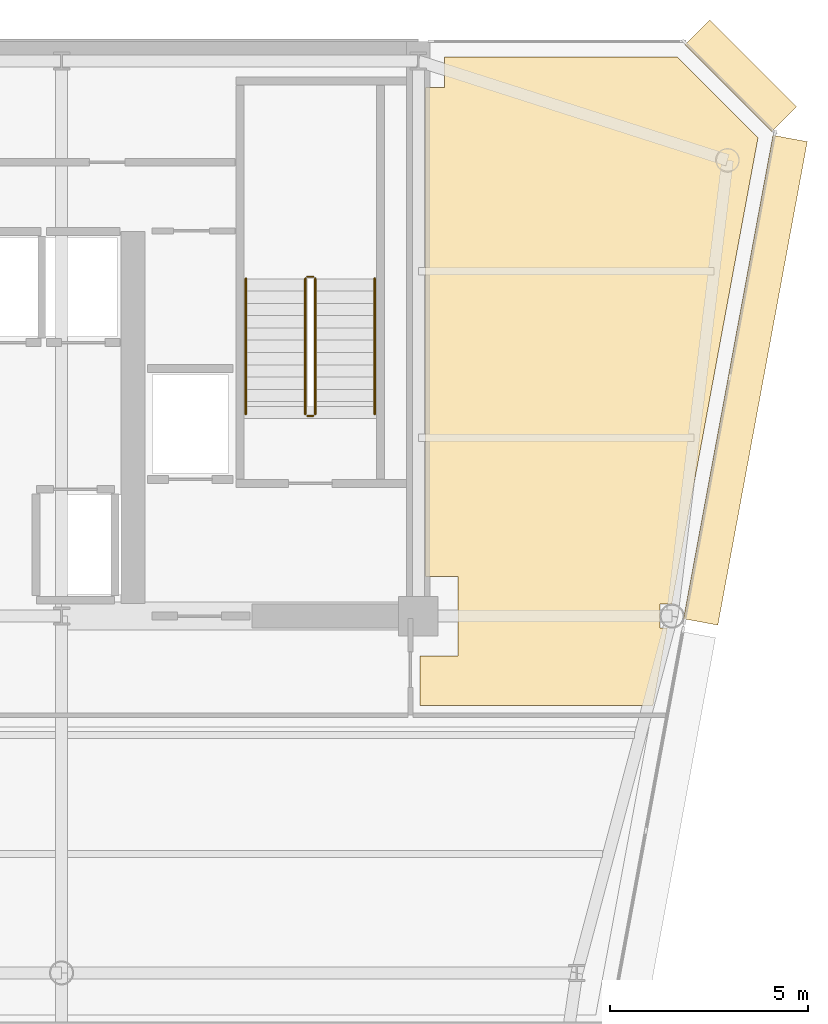
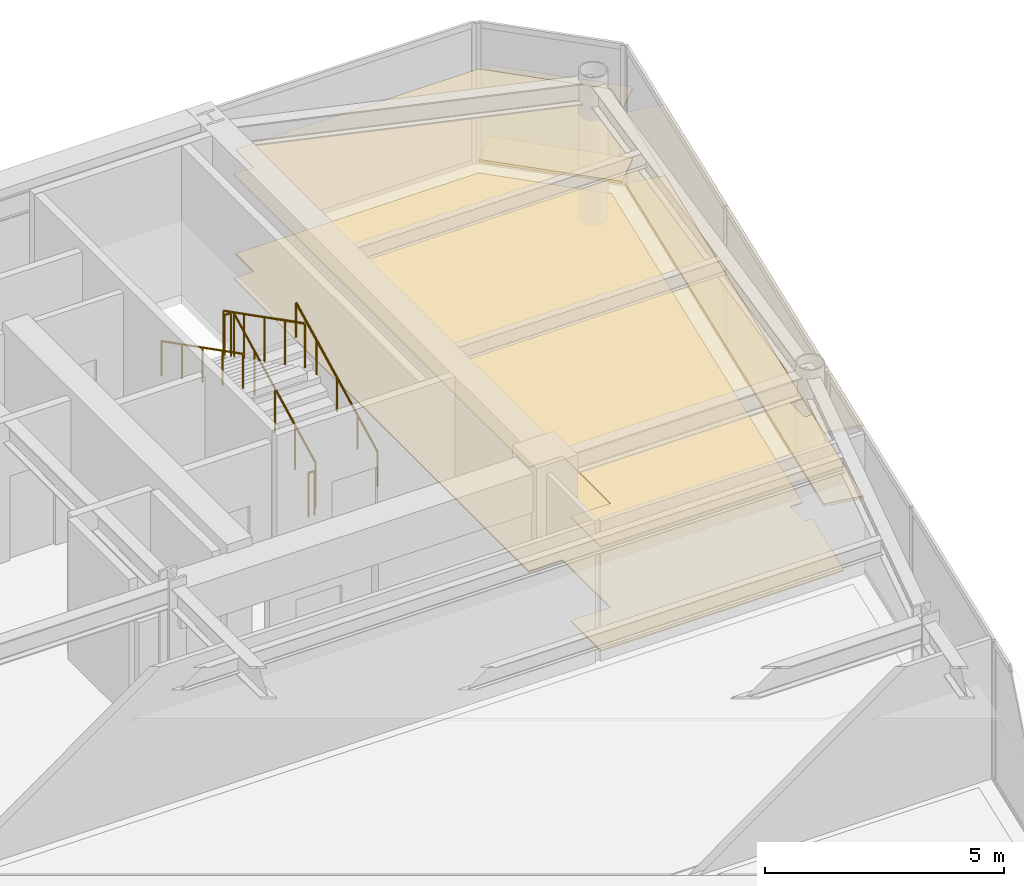
# One storey, part 17 of 17: 6 coverings, 6 railings.
"""IFC4 building model written with IfcOpenShell, lengths in metres."""

from ifc_helpers import new_model, si_unit, direction, frame, origin, origin_2d, place, context, subcontext, project, spatial, polyline, rectangle, circle, outline, extrude, source, transform, mapped, material, layer, layer_set, type_object, element, save


model = new_model("IFC4")

# Units and contexts
model_context = context("Model", 3, precision=1e-05, world=origin(), true_north=direction((0.0, 1.0)))
body_context = subcontext(model_context, "Body", "Model", "MODEL_VIEW")
ifc_project = project(units=[si_unit("LENGTHUNIT", "METRE"), si_unit("AREAUNIT", "SQUARE_METRE"), si_unit("VOLUMEUNIT", "CUBIC_METRE"), si_unit("PLANEANGLEUNIT", "RADIAN"), si_unit("MASSUNIT", "GRAM", prefix="KILO")], contexts=[model_context])

# Site, building, storey
site_placement = place(None, origin())
site = spatial("IfcSite", under=ifc_project, at=site_placement, CompositionType="ELEMENT")
building_placement = place(site_placement, origin())
building = spatial("IfcBuilding", under=site, at=building_placement, Name="Vaeldorn Concourse Tower", CompositionType="ELEMENT")
storey_placement = place(building_placement, frame((0.0, 0.0, 230.800048828125)))
storey = spatial("IfcBuildingStorey", under=building, at=storey_placement, Name="L59", CompositionType="ELEMENT", Elevation=230.800048828125)

# Coverings
ifc_material_1 = material(Name="Acoustic Mineral Fibre Board", Category="gypsum")
ifc_layer_1 = layer(ifc_material_1, 0.0400390625)
ifc_layer_set_1 = layer_set([ifc_layer_1], Name="Acoustic Mineral Fibre Board")
covering_type_1 = type_object("IfcCoveringType", Name="COV-CEIL-ACOUSTIC", PredefinedType="CEILING", material=ifc_layer_set_1)
covering_1_placement = place(storey_placement, frame((0.0, 0.0, 2.64990234375)))
element("IfcCovering", 1, at=covering_1_placement, inside=storey, type_object=covering_type_1, Name="Suspended Acoustic Ceiling L59-4", PredefinedType="CEILING", context=body_context, shape_type="SweptSolid", body=[
    extrude(outline(polyline([(54.179931640625, 49.840087890625), (54.659912109375, 49.840087890625), (54.659912109375, 50.60009765625), (60.5341796875, 50.60009765625), (62.568359375, 48.56591796875), (60.48828125, 37.320068359375), (60.48828125, 37.320068359375), (60.392822265625, 36.804931640625), (60.094970703125, 36.804931640625), (60.094970703125, 36.195068359375), (60.280029296875, 36.195068359375), (59.91845703125, 34.239990234375), (54.0400390625, 34.239990234375), (54.0400390625, 35.5), (55.0, 35.5), (55.0, 37.5), (54.179931640625, 37.5), (54.179931640625, 49.840087890625)])), origin(), (0.0, 0.0, 1.0), 0.0400390625),
])
ifc_material_2 = material(Name="Honed Limestone Terrazzo Flooring", Category="masonry")
ifc_layer_2 = layer(ifc_material_2, 0.0400390625)
ifc_layer_set_2 = layer_set([ifc_layer_2], Name="Honed Limestone Terrazzo Flooring")
covering_type_2 = type_object("IfcCoveringType", Name="COV-FLOOR-STONE", PredefinedType="FLOORING", material=ifc_layer_set_2)
covering_2_placement = place(storey_placement, origin())
element("IfcCovering", 2, at=covering_2_placement, inside=storey, type_object=covering_type_2, Name="Floor Finish Covering L59-4", PredefinedType="FLOORING", context=body_context, shape_type="SweptSolid", body=[
    extrude(outline(polyline([(54.179931640625, 49.840087890625), (54.659912109375, 49.840087890625), (54.659912109375, 50.60009765625), (60.5341796875, 50.60009765625), (62.568359375, 48.56591796875), (60.48828125, 37.320068359375), (60.48828125, 37.320068359375), (60.392822265625, 36.804931640625), (60.094970703125, 36.804931640625), (60.094970703125, 36.195068359375), (60.280029296875, 36.195068359375), (59.91845703125, 34.239990234375), (54.0400390625, 34.239990234375), (54.0400390625, 35.5), (55.0, 35.5), (55.0, 37.5), (54.179931640625, 37.5), (54.179931640625, 49.840087890625)])), origin(), (0.0, 0.0, 1.0), 0.030029296875),
])

# Railings
ifc_material_3 = material(Name="Anodised Bronze Aluminium", Category="aluminium")
railing_type_1 = type_object("IfcRailingType", Name="RL-STAIR-GUARD", PredefinedType="GUARDRAIL", material=ifc_material_3)
railing_1_placement = place(storey_placement, frame((51.39990234375, 41.60009765625, 0.158203125)))
element("IfcRailing", 3, at=railing_1_placement, inside=storey, type_object=railing_type_1, Name="L59 ST-2 stair guard 1", PredefinedType="GUARDRAIL", context=body_context, shape_type="SweptSolid", body=[
    extrude(circle(Radius=0.02392578125, at=origin_2d()), frame((0.0, 0.0, 1.1259765625), z_axis=(0.0, 0.890555807335, 0.454873997962), x_axis=(-1.0, 0.0, 0.0)), (0.0, 0.0, 1.0), 3.828857421875),
    extrude(circle(Radius=0.02099609375, at=origin_2d()), origin(), (0.0, 0.0, 1.0), 1.101806640625),
    extrude(circle(Radius=0.02099609375, at=origin_2d()), frame((0.0, 0.8525390625, 0.435546875)), (0.0, 0.0, 1.0), 1.101806640625),
    extrude(circle(Radius=0.02099609375, at=origin_2d()), frame((0.0, 1.705078125, 0.870849609375)), (0.0, 0.0, 1.0), 1.101806640625),
    extrude(circle(Radius=0.02099609375, at=origin_2d()), frame((0.0, 2.557373046875, 1.30615234375)), (0.0, 0.0, 1.0), 1.101806640625),
    extrude(circle(Radius=0.02099609375, at=origin_2d()), frame((0.0, 3.409912109375, 1.74169921875)), (0.0, 0.0, 1.0), 1.101806640625),
])
railing_2_placement = place(storey_placement, frame((51.35009765625, 45.06005859375, 1.89990234375)))
element("IfcRailing", 4, at=railing_2_placement, inside=storey, type_object=railing_type_1, Name="L59 ST-2 stair guard 2", PredefinedType="GUARDRAIL", context=body_context, shape_type="SweptSolid", body=[
    extrude(circle(Radius=0.02392578125, at=origin_2d()), frame((0.0, 0.0, 1.1259765625), z_axis=(-1.0, 0.0, 0.0), x_axis=(0.0, -1.0, 0.0)), (0.0, 0.0, 1.0), 0.150146484375),
    extrude(circle(Radius=0.02099609375, at=origin_2d()), origin(), (0.0, 0.0, 1.0), 1.101806640625),
    extrude(circle(Radius=0.02099609375, at=origin_2d()), frame((-0.150146484375, 0.0, 0.0)), (0.0, 0.0, 1.0), 1.101806640625),
])
railing_3_placement = place(storey_placement, frame((51.14990234375, 45.010009765625, 2.058349609375)))
element("IfcRailing", 5, at=railing_3_placement, inside=storey, type_object=railing_type_1, Name="L59 ST-2 stair guard 3", PredefinedType="GUARDRAIL", context=body_context, shape_type="SweptSolid", body=[
    extrude(circle(Radius=0.02392578125, at=origin_2d()), frame((0.0, 0.0, 1.1259765625), z_axis=(0.0, -0.890555807335, 0.454873997962), x_axis=(1.0, 0.0, 0.0)), (0.0, 0.0, 1.0), 3.828857421875),
    extrude(circle(Radius=0.02099609375, at=origin_2d()), origin(), (0.0, 0.0, 1.0), 1.101806640625),
    extrude(circle(Radius=0.02099609375, at=origin_2d()), frame((0.0, -0.8525390625, 0.435546875)), (0.0, 0.0, 1.0), 1.101806640625),
    extrude(circle(Radius=0.02099609375, at=origin_2d()), frame((0.0, -1.705078125, 0.870849609375)), (0.0, 0.0, 1.0), 1.101806640625),
    extrude(circle(Radius=0.02099609375, at=origin_2d()), frame((0.0, -2.557373046875, 1.30615234375)), (0.0, 0.0, 1.0), 1.101806640625),
    extrude(circle(Radius=0.02099609375, at=origin_2d()), frame((0.0, -3.409912109375, 1.74169921875)), (0.0, 0.0, 1.0), 1.101806640625),
])
railing_4_placement = place(storey_placement, frame((51.35009765625, 41.550048828125, 0.0)))
element("IfcRailing", 6, at=railing_4_placement, inside=storey, type_object=railing_type_1, Name="L59 ST-2 stair guard 4", PredefinedType="GUARDRAIL", context=body_context, shape_type="SweptSolid", body=[
    extrude(circle(Radius=0.02392578125, at=origin_2d()), frame((0.0, 0.0, 1.1259765625), z_axis=(-1.0, 0.0, 0.0), x_axis=(0.0, -1.0, 0.0)), (0.0, 0.0, 1.0), 0.150146484375),
    extrude(circle(Radius=0.02099609375, at=origin_2d()), origin(), (0.0, 0.0, 1.0), 1.101806640625),
    extrude(circle(Radius=0.02099609375, at=origin_2d()), frame((-0.150146484375, 0.0, 0.0)), (0.0, 0.0, 1.0), 1.101806640625),
])
railing_type_2 = type_object("IfcRailingType", Name="RL-STAIR-HANDRAIL", PredefinedType="HANDRAIL", material=ifc_material_3)
railing_5_placement = place(storey_placement, frame((52.89990234375, 41.60009765625, 0.158203125)))
element("IfcRailing", 7, at=railing_5_placement, inside=storey, type_object=railing_type_2, Name="L59 ST-2 stair handrail 1", PredefinedType="HANDRAIL", context=body_context, shape_type="SweptSolid", body=[
    extrude(circle(Radius=0.02392578125, at=origin_2d()), frame((0.0, 0.0, 0.8759765625), z_axis=(0.0, 0.890555807335, 0.454873997962), x_axis=(-1.0, 0.0, 0.0)), (0.0, 0.0, 1.0), 3.828857421875),
    extrude(circle(Radius=0.02099609375, at=origin_2d()), origin(), (0.0, 0.0, 1.0), 0.851806640625),
    extrude(circle(Radius=0.02099609375, at=origin_2d()), frame((0.0, 0.8525390625, 0.435546875)), (0.0, 0.0, 1.0), 0.851806640625),
    extrude(circle(Radius=0.02099609375, at=origin_2d()), frame((0.0, 1.705078125, 0.870849609375)), (0.0, 0.0, 1.0), 0.851806640625),
    extrude(circle(Radius=0.02099609375, at=origin_2d()), frame((0.0, 2.557373046875, 1.30615234375)), (0.0, 0.0, 1.0), 0.851806640625),
    extrude(circle(Radius=0.02099609375, at=origin_2d()), frame((0.0, 3.409912109375, 1.74169921875)), (0.0, 0.0, 1.0), 0.851806640625),
])
railing_6_placement = place(storey_placement, frame((49.64990234375, 45.010009765625, 2.058349609375)))
element("IfcRailing", 8, at=railing_6_placement, inside=storey, type_object=railing_type_2, Name="L59 ST-2 stair handrail 2", PredefinedType="HANDRAIL", context=body_context, shape_type="SweptSolid", body=[
    extrude(circle(Radius=0.02392578125, at=origin_2d()), frame((0.0, 0.0, 0.8759765625), z_axis=(0.0, -0.890555807335, 0.454873997962), x_axis=(1.0, 0.0, 0.0)), (0.0, 0.0, 1.0), 3.828857421875),
    extrude(circle(Radius=0.02099609375, at=origin_2d()), origin(), (0.0, 0.0, 1.0), 0.851806640625),
    extrude(circle(Radius=0.02099609375, at=origin_2d()), frame((0.0, -0.8525390625, 0.435546875)), (0.0, 0.0, 1.0), 0.851806640625),
    extrude(circle(Radius=0.02099609375, at=origin_2d()), frame((0.0, -1.705078125, 0.870849609375)), (0.0, 0.0, 1.0), 0.851806640625),
    extrude(circle(Radius=0.02099609375, at=origin_2d()), frame((0.0, -2.557373046875, 1.30615234375)), (0.0, 0.0, 1.0), 0.851806640625),
    extrude(circle(Radius=0.02099609375, at=origin_2d()), frame((0.0, -3.409912109375, 1.74169921875)), (0.0, 0.0, 1.0), 0.851806640625),
])

# Coverings
ifc_layer_3 = layer(ifc_material_3, 0.06494140625)
ifc_layer_set_3 = layer_set([ifc_layer_3], Name="Anodised Bronze Aluminium")
covering_type_3 = type_object("IfcCoveringType", Name="SD-BRONZE-SUNSHADE", PredefinedType="USERDEFINED", material=ifc_layer_set_3)
shared_shape_1 = source(origin(), body_context, "Body", "SweptSolid", [
    extrude(rectangle(XDim=3.0927734375, YDim=0.8798828125, at=origin_2d()), origin(), (0.0, 0.0, 1.0), 0.06494140625),
])
for number, where, z_axis, x_axis, name in (
    (9, (62.1328125, 50.1328125, 0.04736328125), (0.0, 0.0, 1.0), (-0.707106781187, 0.707106781187, 0.0), "Horizontal Bronze Sunshade L59-E08.1.1"),
    (10, (62.1328125, 50.1328125, 1.867431640625), (0.0, 0.0, 1.0), (-0.707106781187, 0.707106781187, 0.0), "Horizontal Bronze Sunshade L59-E08.1.2"),
):
    element("IfcCovering", number, at=place(storey_placement, frame(where, z_axis=z_axis, x_axis=x_axis)), inside=storey, type_object=covering_type_3, Name=name, ObjectType="SUNSHADE", PredefinedType="USERDEFINED", context=body_context, shape_type="MappedRepresentation", body=[
        mapped(shared_shape_1, transform((0.0, 0.0, 0.0), scale=1.0)),
    ])
shared_shape_2 = source(origin(), body_context, "Body", "SweptSolid", [
    extrude(rectangle(XDim=12.402587890625, YDim=0.8798828125, at=origin_2d()), origin(), (0.0, 0.0, 1.0), 0.06494140625),
])
for number, where, z_axis, x_axis, name in (
    (11, (62.250732421875, 42.45068359375, 0.04736328125), (0.0, 0.0, 1.0), (0.181892293686, 0.983318459858, 0.0), "Horizontal Bronze Sunshade L59-E07.2.1"),
    (12, (62.250732421875, 42.45068359375, 1.867431640625), (0.0, 0.0, 1.0), (0.181892293686, 0.983318459858, 0.0), "Horizontal Bronze Sunshade L59-E07.2.2"),
):
    element("IfcCovering", number, at=place(storey_placement, frame(where, z_axis=z_axis, x_axis=x_axis)), inside=storey, type_object=covering_type_3, Name=name, ObjectType="SUNSHADE", PredefinedType="USERDEFINED", context=body_context, shape_type="MappedRepresentation", body=[
        mapped(shared_shape_2, transform((0.0, 0.0, 0.0), scale=1.0)),
    ])

save(model, "model.ifc")
